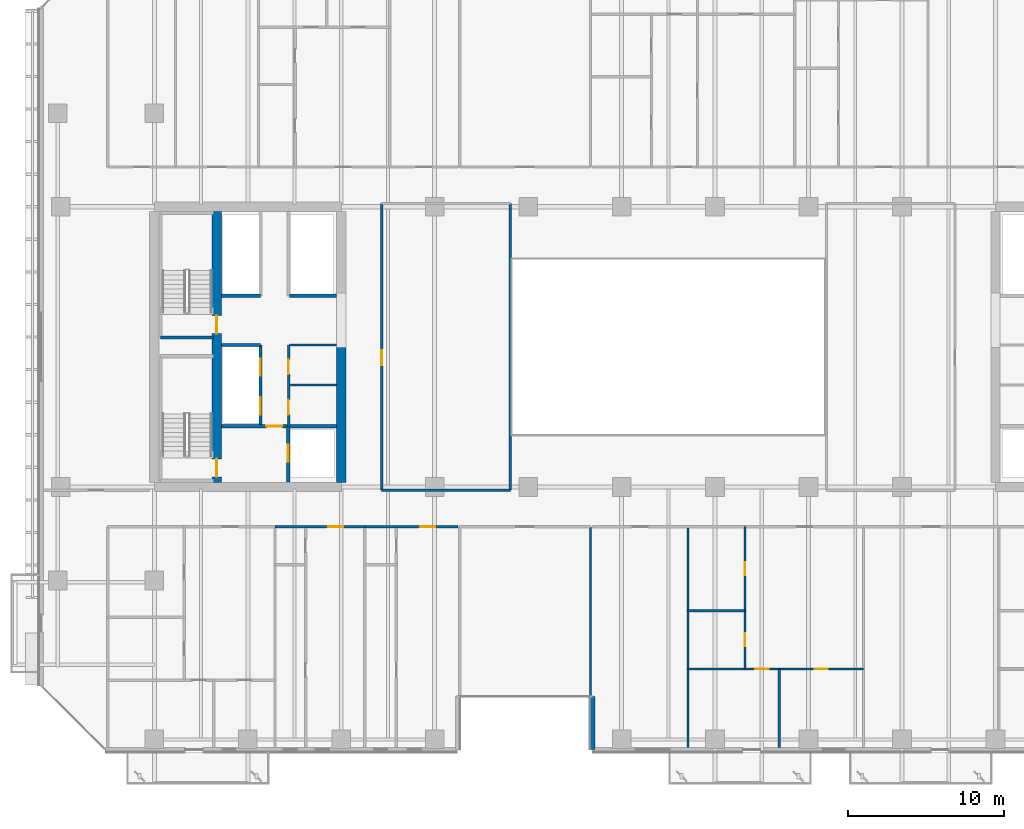
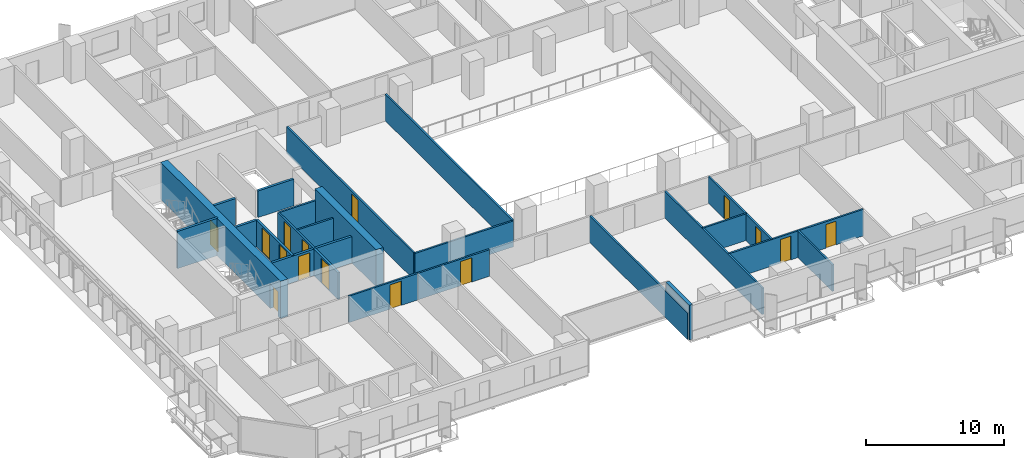
# One storey, part 18 of 33: 24 walls, 15 doors, 15 openings.
"""IFC4 building model written with IfcOpenShell, lengths in metres."""

from ifc_helpers import new_model, si_unit, direction, frame, frame_2d, origin, place, context, subcontext, project, spatial, rectangle, extrude, material, layer, layer_set, type_object, element, fill, save


model = new_model("IFC4")

# Units and contexts
model_context = context("Model", 3, precision=1e-05, world=origin(), true_north=direction((0.0, 1.0)))
body_context = subcontext(model_context, "Body", "Model", "MODEL_VIEW")
ifc_project = project(units=[si_unit("LENGTHUNIT", "METRE"), si_unit("AREAUNIT", "SQUARE_METRE"), si_unit("VOLUMEUNIT", "CUBIC_METRE"), si_unit("PLANEANGLEUNIT", "RADIAN"), si_unit("MASSUNIT", "GRAM", prefix="KILO")], contexts=[model_context])

# Site, building, storey
site_placement = place(None, origin())
site = spatial("IfcSite", under=ifc_project, at=site_placement, CompositionType="ELEMENT")
building_placement = place(site_placement, origin())
building = spatial("IfcBuilding", under=site, at=building_placement, Name="Tanjung Sevakor Pilgrim Tower", CompositionType="ELEMENT")
storey_placement = place(building_placement, frame((0.0, 0.0, 35.639892578125)))
storey = spatial("IfcBuildingStorey", under=building, at=storey_placement, Name="L09", CompositionType="ELEMENT", Elevation=35.639892578125)

# Wall
ifc_material_1 = material(Name="Concrete C60/75", Category="concrete")
ifc_layer_1 = layer(ifc_material_1, 0.60009765625)
ifc_layer_set_1 = layer_set([ifc_layer_1], Name="WALL-CW-600")
wall_type_1 = type_object("IfcWallType", Name="WALL-CW-600", PredefinedType="SHEAR", material=ifc_layer_set_1)
wall_1_placement = place(storey_placement, frame((36.0, 24.89990234375, 0.0), z_axis=(0.0, 0.0, 1.0), x_axis=(0.0, 1.0, 0.0)))
element("IfcWall", 1, at=wall_1_placement, inside=storey, type_object=wall_type_1, Name="L09 W Core Inner Shear Wall South", PredefinedType="SHEAR", context=body_context, shape_type="SweptSolid", body=[
    extrude(rectangle(XDim=8.900146484375, YDim=0.60009765625, at=frame_2d((4.4501953125, 0.0))), origin(), (0.0, 0.0, 1.0), 3.300048828125),
])

# Wall, openings, doors
wall_2_placement = place(storey_placement, frame((28.0, 24.89990234375, 0.0), z_axis=(0.0, 0.0, 1.0), x_axis=(0.0, 1.0, 0.0)))
wall_2 = element("IfcWall", 2, at=wall_2_placement, inside=storey, type_object=wall_type_1, Name="L09 W Core Stair Spine Wall", PredefinedType="SHEAR", context=body_context, shape_type="SweptSolid", body=[
    extrude(rectangle(XDim=17.400146484375, YDim=0.60009765625, at=frame_2d((8.7001953125, 0.0))), origin(), (0.0, 0.0, 1.0), 3.300048828125),
])
opening_1_placement = place(wall_2_placement, frame((0.35009765625, 0.0, 0.0)))
opening_1 = element("IfcOpeningElement", 3, at=opening_1_placement, cuts=wall_2, Name="Opening ID-ST1", PredefinedType="OPENING", context=body_context, shape_type="SweptSolid", body=[
    extrude(rectangle(XDim=1.14990234375, YDim=2.14990234375, at=frame_2d((0.574951171875, 1.074951171875))), frame((0.0, 0.31005859375, 0.0), z_axis=(0.0, -1.0, 0.0), x_axis=(1.0, 0.0, 0.0)), (0.0, 0.0, 1.0), 0.6201171875),
])
opening_2_placement = place(wall_2_placement, frame((9.550048828125, 0.0, 0.0)))
opening_2 = element("IfcOpeningElement", 4, at=opening_2_placement, cuts=wall_2, Name="Opening ID-ST1", PredefinedType="OPENING", context=body_context, shape_type="SweptSolid", body=[
    extrude(rectangle(XDim=1.14990234375, YDim=2.14990234375, at=frame_2d((0.574951171875, 1.074951171875))), frame((0.0, 0.31005859375, 0.0), z_axis=(0.0, -1.0, 0.0), x_axis=(1.0, 0.0, 0.0)), (0.0, 0.0, 1.0), 0.6201171875),
])
ifc_material_2 = material(Name="Fire-Rated Steel S355J2", Category="steel")
door_type_1 = type_object("IfcDoorType", Name="DT-FIRE-1150", OperationType="NOTDEFINED", PredefinedType="DOOR", material=ifc_material_2)
door_1_placement = place(opening_1_placement, origin())
door_1 = element("IfcDoor", 5, at=door_1_placement, inside=storey, type_object=door_type_1, Name="L09 TS-W1 Stair Fire Door", OperationType="SINGLE_SWING_LEFT", OverallHeight=2.14990234375, OverallWidth=1.14990234375, PredefinedType="DOOR", context=body_context, shape_type="SweptSolid", body=[
    extrude(rectangle(XDim=1.14990234375, YDim=2.14990234375, at=frame_2d((0.574951171875, 1.074951171875))), frame((0.0, 0.02490234375, 0.0), z_axis=(0.0, -1.0, 0.0), x_axis=(1.0, 0.0, 0.0)), (0.0, 0.0, 1.0), 0.050048828125),
])
fill(opening_1, door_1)
door_2_placement = place(opening_2_placement, origin())
door_2 = element("IfcDoor", 6, at=door_2_placement, inside=storey, type_object=door_type_1, Name="L09 TS-W2 Stair Fire Door", OperationType="SINGLE_SWING_RIGHT", OverallHeight=2.14990234375, OverallWidth=1.14990234375, PredefinedType="DOOR", context=body_context, shape_type="SweptSolid", body=[
    extrude(rectangle(XDim=1.14990234375, YDim=2.14990234375, at=frame_2d((0.574951171875, 1.074951171875))), frame((0.0, 0.02490234375, 0.0), z_axis=(0.0, -1.0, 0.0), x_axis=(1.0, 0.0, 0.0)), (0.0, 0.0, 1.0), 0.050048828125),
])
fill(opening_2, door_2)

# Walls
ifc_material_3 = material(Name="Concrete C40/50", Category="concrete")
ifc_layer_2 = layer(ifc_material_3, 0.14990234375)
ifc_layer_set_2 = layer_set([ifc_layer_2], Name="WT-COMP-150")
wall_type_2 = type_object("IfcWallType", Name="WT-COMP-150", PredefinedType="SOLIDWALL", material=ifc_layer_set_2)
for number, where, z_axis, x_axis, name in (
    (7, (32.679931640625, 31.14990234375, 0.0), (0.0, 0.0, 1.0), (1.0, 0.0, 0.0), "L09 Partition IW-L09-005"),
    (8, (32.679931640625, 33.719970703125, 0.0), (0.0, 0.0, 1.0), (1.0, 0.0, 0.0), "L09 Partition IW-L09-006"),
):
    element("IfcWall", number, at=place(storey_placement, frame(where, z_axis=z_axis, x_axis=x_axis)), inside=storey, type_object=wall_type_2, Name=name, PredefinedType="SOLIDWALL", context=body_context, shape_type="SweptSolid", body=[
        extrude(rectangle(XDim=3.0, YDim=0.14990234375, at=frame_2d((1.5, 0.0))), origin(), (0.0, 0.0, 1.0), 2.35009765625),
    ])

# Wall, openings, doors
wall_3_placement = place(storey_placement, frame((32.6201171875, 28.5, 0.0), z_axis=(0.0, 0.0, 1.0), x_axis=(0.0, 1.0, 0.0)))
wall_3 = element("IfcWall", 9, at=wall_3_placement, inside=storey, type_object=wall_type_2, Name="L09 Partition IW-L09-007", PredefinedType="SOLIDWALL", context=body_context, shape_type="SweptSolid", body=[
    extrude(rectangle(XDim=5.219970703125, YDim=0.14990234375, at=frame_2d((2.60986328125, 0.0))), origin(), (0.0, 0.0, 1.0), 2.35009765625),
])
opening_3_placement = place(wall_3_placement, frame((0.75, 0.0, 0.0)))
opening_3 = element("IfcOpeningElement", 10, at=opening_3_placement, cuts=wall_3, Name="Opening ID-FD2", PredefinedType="OPENING", context=body_context, shape_type="SweptSolid", body=[
    extrude(rectangle(XDim=0.949951171875, YDim=2.14990234375, at=frame_2d((0.47509765625, 1.074951171875))), frame((0.0, 0.0849609375, 0.0), z_axis=(0.0, -1.0, 0.0), x_axis=(1.0, 0.0, 0.0)), (0.0, 0.0, 1.0), 0.169921875),
])
opening_4_placement = place(wall_3_placement, frame((3.35009765625, 0.0, 0.0)))
opening_4 = element("IfcOpeningElement", 11, at=opening_4_placement, cuts=wall_3, Name="Opening ID-FD2", PredefinedType="OPENING", context=body_context, shape_type="SweptSolid", body=[
    extrude(rectangle(XDim=0.949951171875, YDim=2.14990234375, at=frame_2d((0.47509765625, 1.074951171875))), frame((0.0, 0.0849609375, 0.0), z_axis=(0.0, -1.0, 0.0), x_axis=(1.0, 0.0, 0.0)), (0.0, 0.0, 1.0), 0.169921875),
])
ifc_material_4 = material(Name="Fire-Rated Timber", Category="wood")
door_type_2 = type_object("IfcDoorType", Name="DT-FIRE-950", OperationType="NOTDEFINED", PredefinedType="DOOR", material=ifc_material_4)
door_3_placement = place(opening_3_placement, origin())
door_3 = element("IfcDoor", 12, at=door_3_placement, inside=storey, type_object=door_type_2, Name="L09 Accessible WC Door", OperationType="SINGLE_SWING_RIGHT", OverallHeight=2.14990234375, OverallWidth=0.949951171875, PredefinedType="DOOR", context=body_context, shape_type="SweptSolid", body=[
    extrude(rectangle(XDim=0.949951171875, YDim=2.14990234375, at=frame_2d((0.47509765625, 1.074951171875))), frame((0.0, 0.02490234375, 0.0), z_axis=(0.0, -1.0, 0.0), x_axis=(1.0, 0.0, 0.0)), (0.0, 0.0, 1.0), 0.050048828125),
])
fill(opening_3, door_3)
door_4_placement = place(opening_4_placement, origin())
door_4 = element("IfcDoor", 13, at=door_4_placement, inside=storey, type_object=door_type_2, Name="L09 Core Service Door", OperationType="SINGLE_SWING_LEFT", OverallHeight=2.14990234375, OverallWidth=0.949951171875, PredefinedType="DOOR", context=body_context, shape_type="SweptSolid", body=[
    extrude(rectangle(XDim=0.949951171875, YDim=2.14990234375, at=frame_2d((0.47509765625, 1.074951171875))), frame((0.0, 0.02490234375, 0.0), z_axis=(0.0, -1.0, 0.0), x_axis=(1.0, 0.0, 0.0)), (0.0, 0.0, 1.0), 0.050048828125),
])
fill(opening_4, door_4)

# Wall
wall_4_placement = place(storey_placement, frame((38.60009765625, 24.39990234375, 0.0), z_axis=(0.0, 0.0, 1.0), x_axis=(1.0, 0.0, 0.0)))
element("IfcWall", 14, at=wall_4_placement, inside=storey, type_object=wall_type_2, Name="L09 Partition IW-L09-023", PredefinedType="SOLIDWALL", context=body_context, shape_type="SweptSolid", body=[
    extrude(rectangle(XDim=8.25, YDim=0.14990234375, at=frame_2d((4.125, 0.0))), origin(), (0.0, 0.0, 1.0), 2.295166015625),
])

# Wall, opening, door
wall_5_placement = place(storey_placement, frame((38.60009765625, 24.39990234375, 0.0), z_axis=(0.0, 0.0, 1.0), x_axis=(0.0, 1.0, 0.0)))
wall_5 = element("IfcWall", 15, at=wall_5_placement, inside=storey, type_object=wall_type_2, Name="L09 Partition IW-L09-025", PredefinedType="SOLIDWALL", context=body_context, shape_type="SweptSolid", body=[
    extrude(rectangle(XDim=18.400146484375, YDim=0.14990234375, at=frame_2d((9.2001953125, 0.0))), origin(), (0.0, 0.0, 1.0), 2.35009765625),
])
opening_5_placement = place(wall_5_placement, frame((8.02490234375, 0.0, 0.0)))
opening_5 = element("IfcOpeningElement", 16, at=opening_5_placement, cuts=wall_5, Name="Opening ID-RM1", PredefinedType="OPENING", context=body_context, shape_type="SweptSolid", body=[
    extrude(rectangle(XDim=0.949951171875, YDim=2.14990234375, at=frame_2d((0.47509765625, 1.074951171875))), frame((0.0, 0.0849609375, 0.0), z_axis=(0.0, -1.0, 0.0), x_axis=(1.0, 0.0, 0.0)), (0.0, 0.0, 1.0), 0.169921875),
])
ifc_material_5 = material(Name="Hardwood Timber", Category="wood")
door_type_3 = type_object("IfcDoorType", Name="DT-INT-950", OperationType="NOTDEFINED", PredefinedType="DOOR", material=ifc_material_5)
door_5_placement = place(opening_5_placement, origin())
door_5 = element("IfcDoor", 17, at=door_5_placement, inside=storey, type_object=door_type_3, Name="L09 Central West Room Door", OperationType="SINGLE_SWING_RIGHT", OverallHeight=2.14990234375, OverallWidth=0.949951171875, PredefinedType="DOOR", context=body_context, shape_type="SweptSolid", body=[
    extrude(rectangle(XDim=0.949951171875, YDim=2.14990234375, at=frame_2d((0.47509765625, 1.074951171875))), frame((0.0, 0.02490234375, 0.0), z_axis=(0.0, -1.0, 0.0), x_axis=(1.0, 0.0, 0.0)), (0.0, 0.0, 1.0), 0.050048828125),
])
fill(opening_5, door_5)

# Walls
wall_6_placement = place(storey_placement, frame((46.85009765625, 24.39990234375, 0.0), z_axis=(0.0, 0.0, 1.0), x_axis=(0.0, 1.0, 0.0)))
element("IfcWall", 18, at=wall_6_placement, inside=storey, type_object=wall_type_2, Name="L09 Partition IW-L09-026", PredefinedType="SOLIDWALL", context=body_context, shape_type="SweptSolid", body=[
    extrude(rectangle(XDim=18.400146484375, YDim=0.14990234375, at=frame_2d((9.2001953125, 0.0))), origin(), (0.0, 0.0, 1.0), 2.35009765625),
])
wall_7_placement = place(storey_placement, frame((52.0, 7.8798828125, 0.0), z_axis=(0.0, 0.0, 1.0), x_axis=(0.0, 1.0, 0.0)))
element("IfcWall", 19, at=wall_7_placement, inside=storey, type_object=wall_type_2, Name="L09 Partition IW-L09-040", PredefinedType="SOLIDWALL", context=body_context, shape_type="SweptSolid", body=[
    extrude(rectangle(XDim=14.170166015625, YDim=0.14990234375, at=frame_2d((7.0849609375, 0.0))), origin(), (0.0, 0.0, 1.0), 2.35009765625),
])

# Wall, opening, door
wall_8_placement = place(storey_placement, frame((31.751220703125, 22.050048828125, 0.0), z_axis=(0.0, 0.0, 1.0), x_axis=(1.0, 0.0, 0.0)))
wall_8 = element("IfcWall", 20, at=wall_8_placement, inside=storey, type_object=wall_type_2, Name="L09 Partition IW-L09-054", PredefinedType="SOLIDWALL", context=body_context, shape_type="SweptSolid", body=[
    extrude(rectangle(XDim=5.761474609375, YDim=0.14990234375, at=frame_2d((2.880859375, 0.0))), origin(), (0.0, 0.0, 1.0), 2.35009765625),
])
opening_6_placement = place(wall_8_placement, frame((3.42529296875, 0.0, 0.0)))
opening_6 = element("IfcOpeningElement", 21, at=opening_6_placement, cuts=wall_8, Name="Opening ID-FD2", PredefinedType="OPENING", context=body_context, shape_type="SweptSolid", body=[
    extrude(rectangle(XDim=0.949951171875, YDim=2.14990234375, at=frame_2d((0.47509765625, 1.074951171875))), frame((0.0, 0.0849609375, 0.0), z_axis=(0.0, -1.0, 0.0), x_axis=(1.0, 0.0, 0.0)), (0.0, 0.0, 1.0), 0.169921875),
])
door_6_placement = place(opening_6_placement, origin())
door_6 = element("IfcDoor", 22, at=door_6_placement, inside=storey, type_object=door_type_2, Name="Hotel Guestroom Entrance", OperationType="SINGLE_SWING_RIGHT", OverallHeight=2.14990234375, OverallWidth=0.949951171875, PredefinedType="DOOR", context=body_context, shape_type="SweptSolid", body=[
    extrude(rectangle(XDim=0.949951171875, YDim=2.14990234375, at=frame_2d((0.47509765625, 1.074951171875))), frame((0.0, 0.02490234375, 0.0), z_axis=(0.0, -1.0, 0.0), x_axis=(1.0, 0.0, 0.0)), (0.0, 0.0, 1.0), 0.050048828125),
])
fill(opening_6, door_6)

wall_9_placement = place(storey_placement, frame((37.5126953125, 22.050048828125, 0.0), z_axis=(0.0, 0.0, 1.0), x_axis=(1.0, 0.0, 0.0)))
wall_9 = element("IfcWall", 23, at=wall_9_placement, inside=storey, type_object=wall_type_2, Name="L09 Partition IW-L09-057", PredefinedType="SOLIDWALL", context=body_context, shape_type="SweptSolid", body=[
    extrude(rectangle(XDim=5.96728515625, YDim=0.14990234375, at=frame_2d((2.983642578125, 0.0))), origin(), (0.0, 0.0, 1.0), 2.35009765625),
])
opening_7_placement = place(wall_9_placement, frame((3.56298828125, 0.0, 0.0)))
opening_7 = element("IfcOpeningElement", 24, at=opening_7_placement, cuts=wall_9, Name="Opening ID-FD2", PredefinedType="OPENING", context=body_context, shape_type="SweptSolid", body=[
    extrude(rectangle(XDim=0.949951171875, YDim=2.14990234375, at=frame_2d((0.47509765625, 1.074951171875))), frame((0.0, 0.0849609375, 0.0), z_axis=(0.0, -1.0, 0.0), x_axis=(1.0, 0.0, 0.0)), (0.0, 0.0, 1.0), 0.169921875),
])
door_7_placement = place(opening_7_placement, origin())
door_7 = element("IfcDoor", 25, at=door_7_placement, inside=storey, type_object=door_type_2, Name="Hostel Quad Entrance", OperationType="SINGLE_SWING_LEFT", OverallHeight=2.14990234375, OverallWidth=0.949951171875, PredefinedType="DOOR", context=body_context, shape_type="SweptSolid", body=[
    extrude(rectangle(XDim=0.949951171875, YDim=2.14990234375, at=frame_2d((0.47509765625, 1.074951171875))), frame((0.0, 0.02490234375, 0.0), z_axis=(0.0, -1.0, 0.0), x_axis=(1.0, 0.0, 0.0)), (0.0, 0.0, 1.0), 0.050048828125),
])
fill(opening_7, door_7)

# Walls
wall_10_placement = place(storey_placement, frame((58.262939453125, 7.8798828125, 0.0), z_axis=(0.0, 0.0, 1.0), x_axis=(0.0, 1.0, 0.0)))
element("IfcWall", 26, at=wall_10_placement, inside=storey, type_object=wall_type_2, Name="L09 Partition IW-L09-059", PredefinedType="SOLIDWALL", context=body_context, shape_type="SweptSolid", body=[
    extrude(rectangle(XDim=14.170166015625, YDim=0.14990234375, at=frame_2d((7.0849609375, 0.0))), origin(), (0.0, 0.0, 1.0), 2.35009765625),
])
ifc_material_6 = material(Name="Precast concrete C45/55", Category="concrete")
ifc_layer_3 = layer(ifc_material_6, 0.280029296875)
ifc_layer_set_3 = layer_set([ifc_layer_3], Name="WT-EW-STN2")
wall_type_3 = type_object("IfcWallType", Name="WT-EW-STN2", PredefinedType="SOLIDWALL", material=ifc_layer_set_3)
wall_11_placement = place(storey_placement, frame((52.139892578125, 11.139892578125, 0.0), z_axis=(0.0, 0.0, 1.0), x_axis=(0.0, -1.0, 0.0)))
element("IfcWall", 27, at=wall_11_placement, inside=storey, type_object=wall_type_3, Name="L09 MAIN Exterior Wall 4", PredefinedType="SOLIDWALL", context=body_context, shape_type="SweptSolid", body=[
    extrude(rectangle(XDim=3.39990234375, YDim=0.280029296875, at=frame_2d((1.699951171875, 0.0))), origin(), (0.0, 0.0, 1.0), 3.080078125),
])
ifc_material_7 = material(Name="Concrete C40/50", Category="concrete")
ifc_layer_4 = layer(ifc_material_7, 0.199951171875)
ifc_layer_set_4 = layer_set([ifc_layer_4], Name="WT-FIRE-200")
wall_type_4 = type_object("IfcWallType", Name="WT-FIRE-200", PredefinedType="SOLIDWALL", material=ifc_layer_set_4)
wall_12_placement = place(storey_placement, frame((24.39990234375, 34.199951171875, 0.0), z_axis=(0.0, 0.0, 1.0), x_axis=(1.0, 0.0, 0.0)))
element("IfcWall", 28, at=wall_12_placement, inside=storey, type_object=wall_type_4, Name="L09 TS-W2 Shaft Wall 1", PredefinedType="SOLIDWALL", context=body_context, shape_type="SweptSolid", body=[
    extrude(rectangle(XDim=3.400146484375, YDim=0.199951171875, at=frame_2d((1.7001953125, 0.0))), origin(), (0.0, 0.0, 1.0), 3.300048828125),
])

# Wall, opening, door
ifc_material_8 = material(Name="Concrete C40/50", Category="concrete")
ifc_layer_5 = layer(ifc_material_8, 0.199951171875)
ifc_layer_set_5 = layer_set([ifc_layer_5], Name="WT-FPRT-200")
wall_type_5 = type_object("IfcWallType", Name="WT-FPRT-200", PredefinedType="SOLIDWALL", material=ifc_layer_set_5)
wall_13_placement = place(storey_placement, frame((32.60009765625, 24.919921875, 0.0), z_axis=(0.0, 0.0, 1.0), x_axis=(0.0, 1.0, 0.0)))
wall_13 = element("IfcWall", 29, at=wall_13_placement, inside=storey, type_object=wall_type_5, Name="L09 Partition IW-L09-001", PredefinedType="SOLIDWALL", context=body_context, shape_type="SweptSolid", body=[
    extrude(rectangle(XDim=3.580078125, YDim=0.199951171875, at=frame_2d((1.7900390625, 0.0))), origin(), (0.0, 0.0, 1.0), 2.35009765625),
])
opening_8_placement = place(wall_13_placement, frame((1.300048828125, 0.0, 0.0)))
opening_8 = element("IfcOpeningElement", 30, at=opening_8_placement, cuts=wall_13, Name="Opening LD-1100", PredefinedType="OPENING", context=body_context, shape_type="SweptSolid", body=[
    extrude(rectangle(XDim=1.10009765625, YDim=2.199951171875, at=frame_2d((0.550048828125, 1.10009765625))), frame((0.0, 0.10986328125, 0.0), z_axis=(0.0, -1.0, 0.0), x_axis=(1.0, 0.0, 0.0)), (0.0, 0.0, 1.0), 0.219970703125),
])
ifc_material_9 = material(Name="Brushed Stainless Steel S355J2", Category="steel")
door_type_4 = type_object("IfcDoorType", Name="DT-LIFT-1100", OperationType="SLIDING_TO_LEFT", PredefinedType="DOOR", material=ifc_material_9)
door_8_placement = place(opening_8_placement, origin())
door_8 = element("IfcDoor", 31, at=door_8_placement, inside=storey, type_object=door_type_4, Name="LD-FL-W", OperationType="SLIDING_TO_LEFT", OverallHeight=2.199951171875, OverallWidth=1.10009765625, PredefinedType="DOOR", context=body_context, shape_type="SweptSolid", body=[
    extrude(rectangle(XDim=1.10009765625, YDim=2.199951171875, at=frame_2d((0.550048828125, 1.10009765625))), frame((0.0, 0.02490234375, 0.0), z_axis=(0.0, -1.0, 0.0), x_axis=(1.0, 0.0, 0.0)), (0.0, 0.0, 1.0), 0.050048828125),
])
fill(opening_8, door_8)

wall_14_placement = place(storey_placement, frame((28.320068359375, 28.5, 0.0), z_axis=(0.0, 0.0, 1.0), x_axis=(1.0, 0.0, 0.0)))
wall_14 = element("IfcWall", 32, at=wall_14_placement, inside=storey, type_object=wall_type_5, Name="L09 Partition IW-L09-002", PredefinedType="SOLIDWALL", context=body_context, shape_type="SweptSolid", body=[
    extrude(rectangle(XDim=7.35986328125, YDim=0.199951171875, at=frame_2d((3.679931640625, 0.0))), origin(), (0.0, 0.0, 1.0), 2.35009765625),
])
opening_9_placement = place(wall_14_placement, frame((2.8798828125, 0.0, 0.0)))
opening_9 = element("IfcOpeningElement", 33, at=opening_9_placement, cuts=wall_14, Name="Opening ID-FD1", PredefinedType="OPENING", context=body_context, shape_type="SweptSolid", body=[
    extrude(rectangle(XDim=1.0, YDim=2.14990234375, at=frame_2d((0.5, 1.074951171875))), frame((0.0, 0.10986328125, 0.0), z_axis=(0.0, -1.0, 0.0), x_axis=(1.0, 0.0, 0.0)), (0.0, 0.0, 1.0), 0.219970703125),
])
ifc_material_10 = material(Name="Fire-Rated Steel S355J2", Category="steel")
door_type_5 = type_object("IfcDoorType", Name="DT-FIRE-1000", OperationType="NOTDEFINED", PredefinedType="DOOR", material=ifc_material_10)
door_9_placement = place(opening_9_placement, origin())
door_9 = element("IfcDoor", 34, at=door_9_placement, inside=storey, type_object=door_type_5, Name="Fire Lobby Door W", OperationType="SINGLE_SWING_LEFT", OverallHeight=2.14990234375, OverallWidth=1.0, PredefinedType="DOOR", context=body_context, shape_type="SweptSolid", body=[
    extrude(rectangle(XDim=1.0, YDim=2.14990234375, at=frame_2d((0.5, 1.074951171875))), frame((0.0, 0.02490234375, 0.0), z_axis=(0.0, -1.0, 0.0), x_axis=(1.0, 0.0, 0.0)), (0.0, 0.0, 1.0), 0.050048828125),
])
fill(opening_9, door_9)

# Wall
wall_15_placement = place(storey_placement, frame((28.320068359375, 33.719970703125, 0.0), z_axis=(0.0, 0.0, 1.0), x_axis=(1.0, 0.0, 0.0)))
element("IfcWall", 35, at=wall_15_placement, inside=storey, type_object=wall_type_5, Name="L09 Partition IW-L09-003", PredefinedType="SOLIDWALL", context=body_context, shape_type="SweptSolid", body=[
    extrude(rectangle(XDim=2.47998046875, YDim=0.199951171875, at=frame_2d((1.239990234375, 0.0))), origin(), (0.0, 0.0, 1.0), 2.35009765625),
])

# Wall, openings, doors
wall_16_placement = place(storey_placement, frame((30.820068359375, 28.5, 0.0), z_axis=(0.0, 0.0, 1.0), x_axis=(0.0, 1.0, 0.0)))
wall_16 = element("IfcWall", 36, at=wall_16_placement, inside=storey, type_object=wall_type_5, Name="L09 Partition IW-L09-004", PredefinedType="SOLIDWALL", context=body_context, shape_type="SweptSolid", body=[
    extrude(rectangle(XDim=5.219970703125, YDim=0.199951171875, at=frame_2d((2.60986328125, 0.0))), origin(), (0.0, 0.0, 1.0), 2.35009765625),
])
opening_10_placement = place(wall_16_placement, frame((0.75, 0.0, 0.0)))
opening_10 = element("IfcOpeningElement", 37, at=opening_10_placement, cuts=wall_16, Name="Opening LD-1100", PredefinedType="OPENING", context=body_context, shape_type="SweptSolid", body=[
    extrude(rectangle(XDim=1.10009765625, YDim=2.199951171875, at=frame_2d((0.550048828125, 1.10009765625))), frame((0.0, 0.10986328125, 0.0), z_axis=(0.0, -1.0, 0.0), x_axis=(1.0, 0.0, 0.0)), (0.0, 0.0, 1.0), 0.219970703125),
])
opening_11_placement = place(wall_16_placement, frame((3.25, 0.0, 0.0)))
opening_11 = element("IfcOpeningElement", 38, at=opening_11_placement, cuts=wall_16, Name="Opening LD-1100", PredefinedType="OPENING", context=body_context, shape_type="SweptSolid", body=[
    extrude(rectangle(XDim=1.10009765625, YDim=2.199951171875, at=frame_2d((0.550048828125, 1.10009765625))), frame((0.0, 0.10986328125, 0.0), z_axis=(0.0, -1.0, 0.0), x_axis=(1.0, 0.0, 0.0)), (0.0, 0.0, 1.0), 0.219970703125),
])
door_10_placement = place(opening_10_placement, origin())
door_10 = element("IfcDoor", 39, at=door_10_placement, inside=storey, type_object=door_type_4, Name="LD-PLL1-W", OperationType="SLIDING_TO_LEFT", OverallHeight=2.199951171875, OverallWidth=1.10009765625, PredefinedType="DOOR", context=body_context, shape_type="SweptSolid", body=[
    extrude(rectangle(XDim=1.10009765625, YDim=2.199951171875, at=frame_2d((0.550048828125, 1.10009765625))), frame((0.0, 0.02490234375, 0.0), z_axis=(0.0, -1.0, 0.0), x_axis=(1.0, 0.0, 0.0)), (0.0, 0.0, 1.0), 0.050048828125),
])
fill(opening_10, door_10)
door_11_placement = place(opening_11_placement, origin())
door_11 = element("IfcDoor", 40, at=door_11_placement, inside=storey, type_object=door_type_4, Name="LD-PLL2-W", OperationType="SLIDING_TO_RIGHT", OverallHeight=2.199951171875, OverallWidth=1.10009765625, PredefinedType="DOOR", context=body_context, shape_type="SweptSolid", body=[
    extrude(rectangle(XDim=1.10009765625, YDim=2.199951171875, at=frame_2d((0.550048828125, 1.10009765625))), frame((0.0, 0.02490234375, 0.0), z_axis=(0.0, -1.0, 0.0), x_axis=(1.0, 0.0, 0.0)), (0.0, 0.0, 1.0), 0.050048828125),
])
fill(opening_11, door_11)

# Walls
wall_17_placement = place(storey_placement, frame((28.320068359375, 36.8798828125, 0.0), z_axis=(0.0, 0.0, 1.0), x_axis=(1.0, 0.0, 0.0)))
element("IfcWall", 41, at=wall_17_placement, inside=storey, type_object=wall_type_5, Name="L09 Partition IW-L09-008", PredefinedType="SOLIDWALL", context=body_context, shape_type="SweptSolid", body=[
    extrude(rectangle(XDim=2.47998046875, YDim=0.199951171875, at=frame_2d((1.239990234375, 0.0))), origin(), (0.0, 0.0, 1.0), 2.35009765625),
])
wall_18_placement = place(storey_placement, frame((32.679931640625, 36.8798828125, 0.0), z_axis=(0.0, 0.0, 1.0), x_axis=(1.0, 0.0, 0.0)))
element("IfcWall", 42, at=wall_18_placement, inside=storey, type_object=wall_type_5, Name="L09 Partition IW-L09-010", PredefinedType="SOLIDWALL", context=body_context, shape_type="SweptSolid", body=[
    extrude(rectangle(XDim=3.0, YDim=0.199951171875, at=frame_2d((1.5, 0.0))), origin(), (0.0, 0.0, 1.0), 2.35009765625),
])
ifc_material_11 = material(Name="Gypsum Board Partition", Category="gypsum board")
ifc_layer_6 = layer(ifc_material_11, 0.14990234375)
ifc_layer_set_6 = layer_set([ifc_layer_6], Name="WT-PART-150")
wall_type_6 = type_object("IfcWallType", Name="WT-PART-150", PredefinedType="PARTITIONING", material=ifc_layer_set_6)
wall_19_placement = place(storey_placement, frame((58.262939453125, 16.661865234375, 0.0), z_axis=(0.0, 0.0, 1.0), x_axis=(1.0, 0.0, 0.0)))
element("IfcWall", 43, at=wall_19_placement, inside=storey, type_object=wall_type_6, Name="L09 Partition IW-L09-062", PredefinedType="PARTITIONING", context=body_context, shape_type="SweptSolid", body=[
    extrude(rectangle(XDim=3.656982421875, YDim=0.14990234375, at=frame_2d((1.82861328125, 0.0))), origin(), (0.0, 0.0, 1.0), 2.35009765625),
])

# Wall, openings, doors
wall_20_placement = place(storey_placement, frame((61.919921875, 12.91748046875, 0.0), z_axis=(0.0, 0.0, 1.0), x_axis=(0.0, 1.0, 0.0)))
wall_20 = element("IfcWall", 44, at=wall_20_placement, inside=storey, type_object=wall_type_6, Name="L09 Partition IW-L09-063", PredefinedType="PARTITIONING", context=body_context, shape_type="SweptSolid", body=[
    extrude(rectangle(XDim=9.132568359375, YDim=0.14990234375, at=frame_2d((4.56640625, 0.0))), origin(), (0.0, 0.0, 1.0), 2.35009765625),
])
opening_12_placement = place(wall_20_placement, frame((1.447265625, 0.0, 0.0)))
opening_12 = element("IfcOpeningElement", 45, at=opening_12_placement, cuts=wall_20, Name="Opening ID-WC1", PredefinedType="OPENING", context=body_context, shape_type="SweptSolid", body=[
    extrude(rectangle(XDim=0.85009765625, YDim=2.10009765625, at=frame_2d((0.425048828125, 1.050048828125))), frame((0.0, 0.0849609375, 0.0), z_axis=(0.0, -1.0, 0.0), x_axis=(1.0, 0.0, 0.0)), (0.0, 0.0, 1.0), 0.169921875),
])
opening_13_placement = place(wall_20_placement, frame((6.013427734375, 0.0, 0.0)))
opening_13 = element("IfcOpeningElement", 46, at=opening_13_placement, cuts=wall_20, Name="Opening ID-WC1", PredefinedType="OPENING", context=body_context, shape_type="SweptSolid", body=[
    extrude(rectangle(XDim=0.85009765625, YDim=2.10009765625, at=frame_2d((0.425048828125, 1.050048828125))), frame((0.0, 0.0849609375, 0.0), z_axis=(0.0, -1.0, 0.0), x_axis=(1.0, 0.0, 0.0)), (0.0, 0.0, 1.0), 0.169921875),
])
ifc_material_12 = material(Name="Moisture-Resistant Timber", Category="wood")
door_type_6 = type_object("IfcDoorType", Name="DT-INT-850", OperationType="NOTDEFINED", PredefinedType="DOOR", material=ifc_material_12)
door_12_placement = place(opening_12_placement, origin())
door_12 = element("IfcDoor", 47, at=door_12_placement, inside=storey, type_object=door_type_6, Name="Suite Bathroom Door", OperationType="SINGLE_SWING_LEFT", OverallHeight=2.10009765625, OverallWidth=0.85009765625, PredefinedType="DOOR", context=body_context, shape_type="SweptSolid", body=[
    extrude(rectangle(XDim=0.85009765625, YDim=2.10009765625, at=frame_2d((0.425048828125, 1.050048828125))), frame((0.0, 0.02490234375, 0.0), z_axis=(0.0, -1.0, 0.0), x_axis=(1.0, 0.0, 0.0)), (0.0, 0.0, 1.0), 0.050048828125),
])
fill(opening_12, door_12)
door_13_placement = place(opening_13_placement, origin())
door_13 = element("IfcDoor", 48, at=door_13_placement, inside=storey, type_object=door_type_6, Name="Suite Kitchenette Door", OperationType="SINGLE_SWING_RIGHT", OverallHeight=2.10009765625, OverallWidth=0.85009765625, PredefinedType="DOOR", context=body_context, shape_type="SweptSolid", body=[
    extrude(rectangle(XDim=0.85009765625, YDim=2.10009765625, at=frame_2d((0.425048828125, 1.050048828125))), frame((0.0, 0.02490234375, 0.0), z_axis=(0.0, -1.0, 0.0), x_axis=(1.0, 0.0, 0.0)), (0.0, 0.0, 1.0), 0.050048828125),
])
fill(opening_13, door_13)

# Wall
wall_21_placement = place(storey_placement, frame((64.119140625, 7.8798828125, 0.0), z_axis=(0.0, 0.0, 1.0), x_axis=(0.0, 1.0, 0.0)))
element("IfcWall", 49, at=wall_21_placement, inside=storey, type_object=wall_type_6, Name="L09 Partition IW-L09-064", PredefinedType="PARTITIONING", context=body_context, shape_type="SweptSolid", body=[
    extrude(rectangle(XDim=5.03759765625, YDim=0.14990234375, at=frame_2d((2.518798828125, 0.0))), origin(), (0.0, 0.0, 1.0), 2.35009765625),
])

# Wall, openings, doors
wall_22_placement = place(storey_placement, frame((58.262939453125, 12.91748046875, 0.0), z_axis=(0.0, 0.0, 1.0), x_axis=(1.0, 0.0, 0.0)))
wall_22 = element("IfcWall", 50, at=wall_22_placement, inside=storey, type_object=wall_type_6, Name="L09 Partition IW-L09-065", PredefinedType="PARTITIONING", context=body_context, shape_type="SweptSolid", body=[
    extrude(rectangle(XDim=11.261962890625, YDim=0.14990234375, at=frame_2d((5.630859375, 0.0))), origin(), (0.0, 0.0, 1.0), 2.35009765625),
])
opening_14_placement = place(wall_22_placement, frame((4.331787109375, 0.0, 0.0)))
opening_14 = element("IfcOpeningElement", 51, at=opening_14_placement, cuts=wall_22, Name="Opening ID-WC1", PredefinedType="OPENING", context=body_context, shape_type="SweptSolid", body=[
    extrude(rectangle(XDim=0.85009765625, YDim=2.10009765625, at=frame_2d((0.425048828125, 1.050048828125))), frame((0.0, 0.0849609375, 0.0), z_axis=(0.0, -1.0, 0.0), x_axis=(1.0, 0.0, 0.0)), (0.0, 0.0, 1.0), 0.169921875),
])
opening_15_placement = place(wall_22_placement, frame((8.134033203125, 0.0, 0.0)))
opening_15 = element("IfcOpeningElement", 52, at=opening_15_placement, cuts=wall_22, Name="Opening ID-WC1", PredefinedType="OPENING", context=body_context, shape_type="SweptSolid", body=[
    extrude(rectangle(XDim=0.85009765625, YDim=2.10009765625, at=frame_2d((0.425048828125, 1.050048828125))), frame((0.0, 0.0849609375, 0.0), z_axis=(0.0, -1.0, 0.0), x_axis=(1.0, 0.0, 0.0)), (0.0, 0.0, 1.0), 0.169921875),
])
door_14_placement = place(opening_14_placement, origin())
door_14 = element("IfcDoor", 53, at=door_14_placement, inside=storey, type_object=door_type_6, Name="Suite Bedroom 1 Door", OperationType="SINGLE_SWING_LEFT", OverallHeight=2.10009765625, OverallWidth=0.85009765625, PredefinedType="DOOR", context=body_context, shape_type="SweptSolid", body=[
    extrude(rectangle(XDim=0.85009765625, YDim=2.10009765625, at=frame_2d((0.425048828125, 1.050048828125))), frame((0.0, 0.02490234375, 0.0), z_axis=(0.0, -1.0, 0.0), x_axis=(1.0, 0.0, 0.0)), (0.0, 0.0, 1.0), 0.050048828125),
])
fill(opening_14, door_14)
door_15_placement = place(opening_15_placement, origin())
door_15 = element("IfcDoor", 54, at=door_15_placement, inside=storey, type_object=door_type_6, Name="Suite Bedroom 2 Door", OperationType="SINGLE_SWING_RIGHT", OverallHeight=2.10009765625, OverallWidth=0.85009765625, PredefinedType="DOOR", context=body_context, shape_type="SweptSolid", body=[
    extrude(rectangle(XDim=0.85009765625, YDim=2.10009765625, at=frame_2d((0.425048828125, 1.050048828125))), frame((0.0, 0.02490234375, 0.0), z_axis=(0.0, -1.0, 0.0), x_axis=(1.0, 0.0, 0.0)), (0.0, 0.0, 1.0), 0.050048828125),
])
fill(opening_15, door_15)

save(model, "model.ifc")
